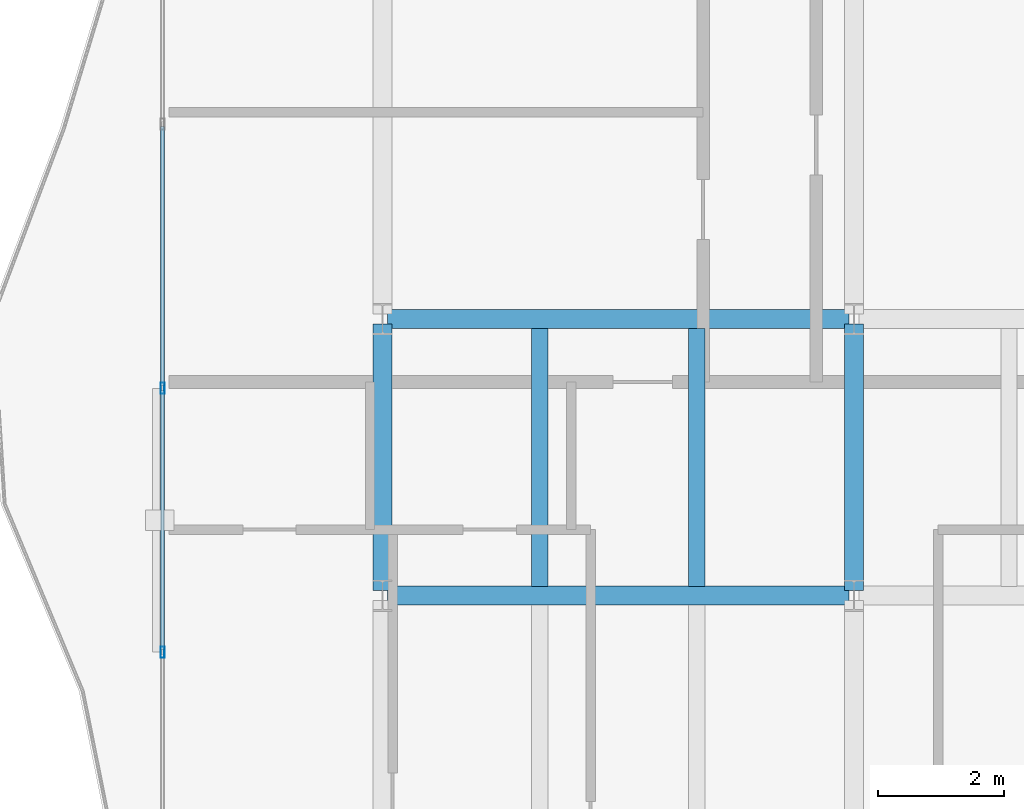
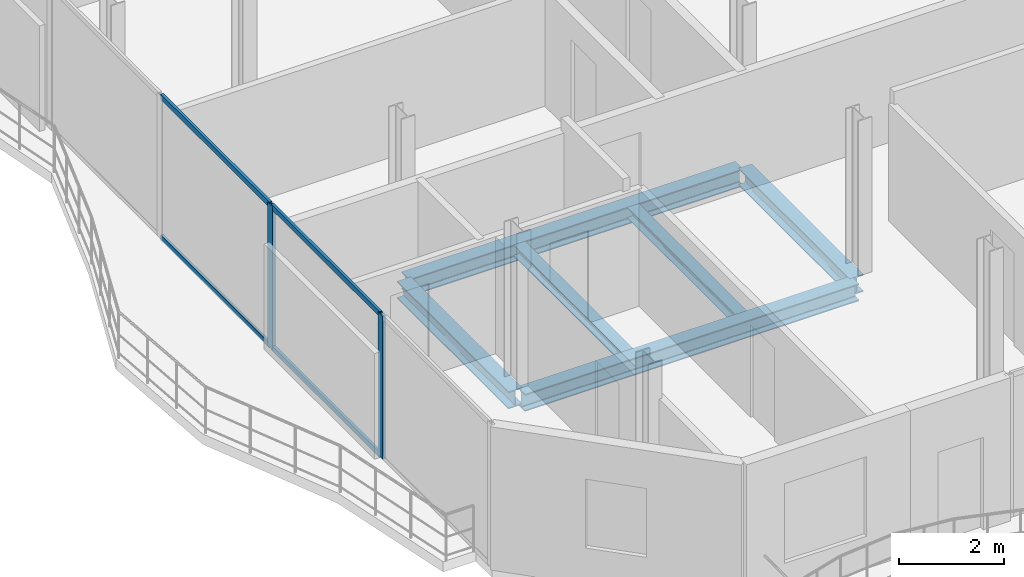
# One storey, part 5 of 23: 6 beams, 6 members, 1 element without a shape of its own.
"""IFC4 building model written with IfcOpenShell, lengths in metres."""

from ifc_helpers import new_model, si_unit, direction, frame, origin, origin_2d, place, context, subcontext, project, spatial, hollow_rectangle, i_section, extrude, material, layer, layer_set, material_profile, profile_set, type_object, element, aggregate, save


model = new_model("IFC4")

# Units and contexts
model_context = context("Model", 3, precision=1e-05, world=origin(), true_north=direction((0.0, 1.0)))
body_context = subcontext(model_context, "Body", "Model", "MODEL_VIEW")
ifc_project = project(units=[si_unit("LENGTHUNIT", "METRE"), si_unit("AREAUNIT", "SQUARE_METRE"), si_unit("VOLUMEUNIT", "CUBIC_METRE"), si_unit("PLANEANGLEUNIT", "RADIAN"), si_unit("MASSUNIT", "GRAM", prefix="KILO")], contexts=[model_context])

# Site, building, storey
site_placement = place(None, origin())
site = spatial("IfcSite", under=ifc_project, at=site_placement, CompositionType="ELEMENT")
building_placement = place(site_placement, origin())
building = spatial("IfcBuilding", under=site, at=building_placement, Name="Catumbela Crestline Tower", CompositionType="ELEMENT")
storey_placement = place(building_placement, frame((0.0, 0.0, 201.0)))
storey = spatial("IfcBuildingStorey", under=building, at=storey_placement, Name="L52", CompositionType="ELEMENT", Elevation=201.0)

# Beams
ifc_material_1 = material(Name="Structural steel S355J2", Category="steel")
ifc_material_profile_1 = material_profile(ifc_material_1, i_section(OverallWidth=0.3, OverallDepth=0.4, WebThickness=0.0135, FlangeThickness=0.024, FilletRadius=0.027, at=origin_2d()), Name="HEB 400")
ifc_profile_set_1 = profile_set([ifc_material_profile_1], Name="Structural steel S355J2")
beam_type_1 = type_object("IfcBeamType", Name="BG-HEB400", PredefinedType="BEAM", material=ifc_profile_set_1)
for number, where, z_axis, x_axis, name in (
    (1, (8.58, 13.6, -0.46), (1.0, 0.0, 0.0), (0.0, 1.0, 0.0), "L52 Beam BM-L52-WEW33"),
    (2, (8.58, 18.0, -0.46), (1.0, 0.0, 0.0), (0.0, 1.0, 0.0), "L52 Beam BM-L52-WEW35"),
):
    element("IfcBeam", number, at=place(storey_placement, frame(where, z_axis=z_axis, x_axis=x_axis)), inside=storey, type_object=beam_type_1, Name=name, PredefinedType="BEAM", context=body_context, shape_type="SweptSolid", body=[
        extrude(i_section(OverallWidth=0.3, OverallDepth=0.4, WebThickness=0.0135, FlangeThickness=0.024, FilletRadius=0.027, at=origin_2d()), origin(), (0.0, 0.0, 1.0), 7.34),
    ])
for number, where, z_axis, x_axis, name in (
    (3, (8.5, 13.68, -0.46), (0.0, 1.0, 0.0), (-1.0, 0.0, 0.0), "L52 Beam BM-L52-WNS38"),
    (4, (16.0, 13.68, -0.46), (0.0, 1.0, 0.0), (-1.0, 0.0, 0.0), "L52 Beam BM-L52-WNS41"),
):
    element("IfcBeam", number, at=place(storey_placement, frame(where, z_axis=z_axis, x_axis=x_axis)), inside=storey, type_object=beam_type_1, Name=name, PredefinedType="BEAM", context=body_context, shape_type="SweptSolid", body=[
        extrude(i_section(OverallWidth=0.3, OverallDepth=0.4, WebThickness=0.0135, FlangeThickness=0.024, FilletRadius=0.027, at=origin_2d()), origin(), (0.0, 0.0, 1.0), 4.24),
    ])
ifc_material_profile_2 = material_profile(ifc_material_1, i_section(OverallWidth=0.26, OverallDepth=0.25, WebThickness=0.0075, FlangeThickness=0.0125, FilletRadius=0.024, at=origin_2d()), Name="HEA 260")
ifc_profile_set_2 = profile_set([ifc_material_profile_2], Name="Structural steel S355J2")
beam_type_2 = type_object("IfcBeamType", Name="BJ-HEA260", PredefinedType="JOIST", material=ifc_profile_set_2)
for number, where, z_axis, x_axis, name in (
    (5, (11.0, 13.747, -0.385), (0.0, 1.0, 0.0), (-1.0, 0.0, 0.0), "L52 Joist JS-L52-WG46"),
    (6, (13.5, 13.747, -0.385), (0.0, 1.0, 0.0), (-1.0, 0.0, 0.0), "L52 Joist JS-L52-WG47"),
):
    element("IfcBeam", number, at=place(storey_placement, frame(where, z_axis=z_axis, x_axis=x_axis)), inside=storey, type_object=beam_type_2, Name=name, PredefinedType="JOIST", context=body_context, shape_type="SweptSolid", body=[
        extrude(i_section(OverallWidth=0.26, OverallDepth=0.25, WebThickness=0.0075, FlangeThickness=0.0125, FilletRadius=0.024, at=origin_2d()), origin(), (0.0, 0.0, 1.0), 4.106),
    ])

# Curtain wall, members
ifc_material_2 = material(Name="Aluminium alloy AW-6060-T66", Category="aluminium")
ifc_layer = layer(ifc_material_2, 0.18, Name="Aluminium alloy AW-6060-T66")
ifc_layer_set = layer_set([ifc_layer], Name="Aluminium alloy AW-6060-T66")
curtain_wall_type = type_object("IfcCurtainWallType", Name="CWU-Z3", PredefinedType="USERDEFINED", material=ifc_layer_set)
curtain_wall_placement = place(storey_placement, origin())
curtain_wall = element("IfcCurtainWall", 7, at=curtain_wall_placement, inside=storey, type_object=curtain_wall_type, Name="L52 Unitised Curtain Wall CW-L52-E9S2", ObjectType="UNITISED", PredefinedType="USERDEFINED")
ifc_material_profile_3 = material_profile(ifc_material_2, hollow_rectangle(XDim=0.065, YDim=0.18, WallThickness=0.004, at=origin_2d()), Name="ALU 180x65x4")
ifc_profile_set_3 = profile_set([ifc_material_profile_3], Name="Aluminium alloy AW-6060-T66")
member_type_1 = type_object("IfcMemberType", Name="MUL-180X65", PredefinedType="MULLION", material=ifc_profile_set_3)
member_1_placement = place(storey_placement, frame((5.0, 16.9, 0.0), z_axis=(0.0, 0.0, 1.0), x_axis=(1.0, 0.0, 0.0)))
member_1 = element("IfcMember", 8, at=member_1_placement, type_object=member_type_1, Name="CWU-Z3 mullion 5", PredefinedType="MULLION", context=body_context, shape_type="SweptSolid", body=[
    extrude(hollow_rectangle(XDim=0.065, YDim=0.18, WallThickness=0.004, at=origin_2d()), origin(), (0.0, 0.0, 1.0), 3.33),
])
member_2_placement = place(storey_placement, frame((5.0, 12.7, 0.0), z_axis=(0.0, 0.0, 1.0), x_axis=(1.0, 0.0, 0.0)))
member_2 = element("IfcMember", 9, at=member_2_placement, type_object=member_type_1, Name="CWU-Z3 mullion 6", PredefinedType="MULLION", context=body_context, shape_type="SweptSolid", body=[
    extrude(hollow_rectangle(XDim=0.065, YDim=0.18, WallThickness=0.004, at=origin_2d()), origin(), (0.0, 0.0, 1.0), 3.33),
])
ifc_material_profile_4 = material_profile(ifc_material_2, hollow_rectangle(XDim=0.06, YDim=0.12, WallThickness=0.0035, at=origin_2d()), Name="ALU 120x60x3.5")
ifc_profile_set_4 = profile_set([ifc_material_profile_4], Name="Aluminium alloy AW-6060-T66")
member_type_2 = type_object("IfcMemberType", Name="TRN-120X60", PredefinedType="USERDEFINED", material=ifc_profile_set_4)
member_3_placement = place(storey_placement, frame((5.0, 21.0675, 0.03), z_axis=(0.0, -1.0, 0.0), x_axis=(1.0, 0.0, 0.0)))
member_3 = element("IfcMember", 10, at=member_3_placement, type_object=member_type_2, Name="CWU-Z3 transom 4.1", ObjectType="TRANSOM", PredefinedType="USERDEFINED", context=body_context, shape_type="SweptSolid", body=[
    extrude(hollow_rectangle(XDim=0.06, YDim=0.12, WallThickness=0.0035, at=origin_2d()), origin(), (0.0, 0.0, 1.0), 4.135),
])
member_4_placement = place(storey_placement, frame((5.0, 21.0675, 3.3), z_axis=(0.0, -1.0, 0.0), x_axis=(1.0, 0.0, 0.0)))
member_4 = element("IfcMember", 11, at=member_4_placement, type_object=member_type_2, Name="CWU-Z3 transom 4.2", ObjectType="TRANSOM", PredefinedType="USERDEFINED", context=body_context, shape_type="SweptSolid", body=[
    extrude(hollow_rectangle(XDim=0.06, YDim=0.12, WallThickness=0.0035, at=origin_2d()), origin(), (0.0, 0.0, 1.0), 4.135),
])
member_5_placement = place(storey_placement, frame((5.0, 16.8675, 0.03), z_axis=(0.0, -1.0, 0.0), x_axis=(1.0, 0.0, 0.0)))
member_5 = element("IfcMember", 12, at=member_5_placement, type_object=member_type_2, Name="CWU-Z3 transom 5.1", ObjectType="TRANSOM", PredefinedType="USERDEFINED", context=body_context, shape_type="SweptSolid", body=[
    extrude(hollow_rectangle(XDim=0.06, YDim=0.12, WallThickness=0.0035, at=origin_2d()), origin(), (0.0, 0.0, 1.0), 4.135),
])
member_6_placement = place(storey_placement, frame((5.0, 16.8675, 3.3), z_axis=(0.0, -1.0, 0.0), x_axis=(1.0, 0.0, 0.0)))
member_6 = element("IfcMember", 13, at=member_6_placement, type_object=member_type_2, Name="CWU-Z3 transom 5.2", ObjectType="TRANSOM", PredefinedType="USERDEFINED", context=body_context, shape_type="SweptSolid", body=[
    extrude(hollow_rectangle(XDim=0.06, YDim=0.12, WallThickness=0.0035, at=origin_2d()), origin(), (0.0, 0.0, 1.0), 4.135),
])
aggregate(curtain_wall, [member_1, member_2, member_3, member_4, member_5, member_6])

save(model, "model.ifc")
